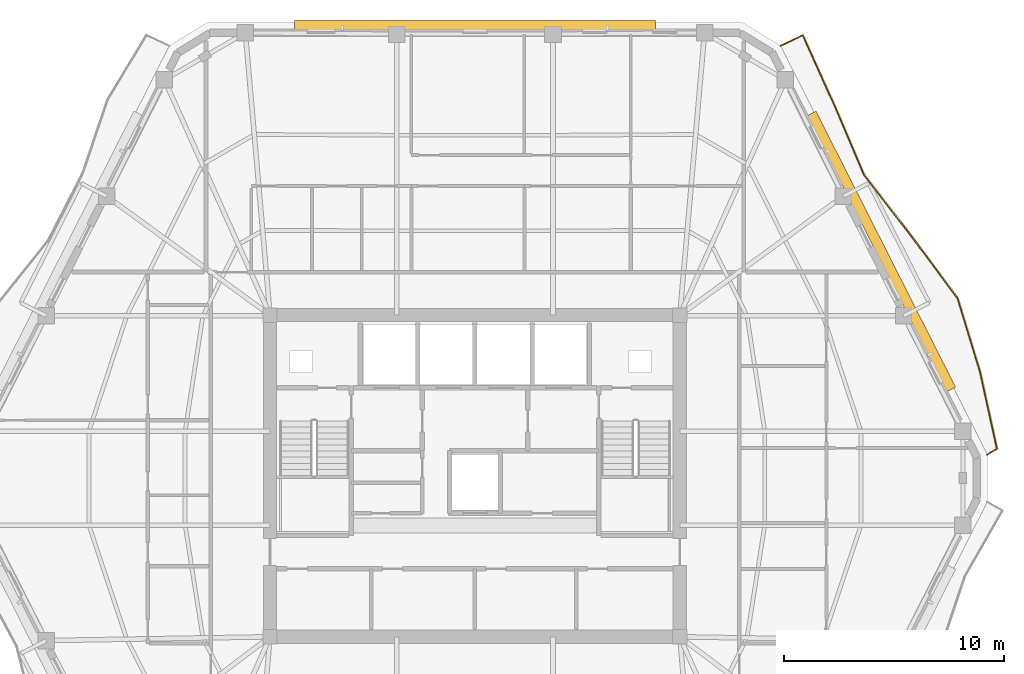
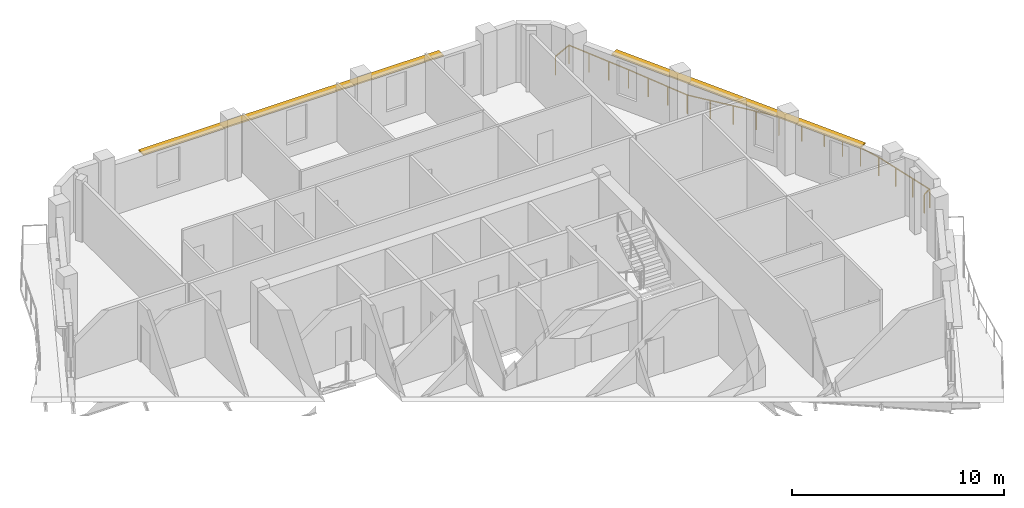
# One storey, part 12 of 12: 2 shading devices, 1 railing.
"""IFC4 building model written with IfcOpenShell, lengths in metres."""

import ifcopenshell
import ifcopenshell.guid

model = None  # the IFC model being written
_history = None  # IfcOwnerHistory: only IFC2X3 demands one
_inside = {}  # id of a spatial element -> (the spatial element, [elements in it])
_under = {}  # id of a project, library or spatial element -> (it, [spatial elements below it])
_declared = {}  # id of a project -> (the project, [libraries it declares])
_typed = {}  # id of a type object -> (the type object, [elements of that type])
_made_of = {}  # id of a material, layer set ... -> (it, [elements and type objects made of it])


def new_model(schema):
    """Start an empty IFC model of exactly this schema.

    Asked for "IFC4X3", IfcOpenShell would pick the latest addendum, in which some entities
    have other attributes; the version numbers below select the first issue.
    IFC2X3 requires an IfcOwnerHistory on every rooted entity: one is made here for all.
    """
    global model, _history
    if schema == "IFC4X3":
        model = ifcopenshell.file(schema_version=(4, 3, 0, 0))
    else:
        model = ifcopenshell.file(schema=schema)
    _inside.clear()
    _under.clear()
    _declared.clear()
    _typed.clear()
    _made_of.clear()
    _history = None
    if model.schema == "IFC2X3":
        org = make("IfcOrganization", Name="unknown")
        user = make(
            "IfcPersonAndOrganization",
            ThePerson=make("IfcPerson", FamilyName="unknown"),
            TheOrganization=org,
        )
        app = make(
            "IfcApplication",
            ApplicationDeveloper=org,
            Version="unknown",
            ApplicationFullName="unknown",
            ApplicationIdentifier="unknown",
        )
        _history = make(
            "IfcOwnerHistory",
            OwningUser=user,
            OwningApplication=app,
            ChangeAction="ADDED",
            CreationDate=0,
        )
    return model


def make(cls, **values):
    """One entity of the class cls with the attributes given. An attribute that is None is left unset."""
    return model.create_entity(
        cls, **{name: value for name, value in values.items() if value is not None}
    )


def rooted(cls, **values):
    """An entity with a GlobalId (a new one), such as an element, a storey or a relation."""
    return make(cls, GlobalId=ifcopenshell.guid.new(), OwnerHistory=_history, **values)


def si_unit(unit_type, name, prefix=None):
    """IfcSIUnit, for example si_unit("LENGTHUNIT", "METRE", prefix="MILLI")."""
    return make("IfcSIUnit", UnitType=unit_type, Prefix=prefix, Name=name)


def assignment(units):
    """IfcUnitAssignment: the units of a project."""
    return None if units is None else make("IfcUnitAssignment", Units=units)


def point(xyz):
    """IfcCartesianPoint."""
    return None if xyz is None else make("IfcCartesianPoint", Coordinates=xyz)


def direction(xyz):
    """IfcDirection."""
    return None if xyz is None else make("IfcDirection", DirectionRatios=xyz)


def frame(location, z_axis=None, x_axis=None):
    """IfcAxis2Placement3D, a coordinate frame: its origin and axes. An axis left out is left unset."""
    return make(
        "IfcAxis2Placement3D",
        Location=point(location),
        Axis=direction(z_axis),
        RefDirection=direction(x_axis),
    )


def frame_2d(location, x_axis=None):
    """IfcAxis2Placement2D, a coordinate frame in the plane: its origin and x axis."""
    return make(
        "IfcAxis2Placement2D", Location=point(location), RefDirection=direction(x_axis)
    )


def origin():
    """The frame at (0, 0, 0) with its axes left unset."""
    return frame((0.0, 0.0, 0.0))


def origin_2d():
    """The frame at (0, 0) in the plane with its x axis left unset."""
    return frame_2d((0.0, 0.0))


def place(relative_to, where):
    """IfcLocalPlacement: puts the frame where relative to a parent placement (None: the world)."""
    return make(
        "IfcLocalPlacement", PlacementRelTo=relative_to, RelativePlacement=where
    )


def context(
    kind, dimensions, precision=None, world=None, true_north=None, identifier=None
):
    """IfcGeometricRepresentationContext, for example the 3D "Model" context."""
    return make(
        "IfcGeometricRepresentationContext",
        ContextIdentifier=identifier,
        ContextType=kind,
        CoordinateSpaceDimension=dimensions,
        Precision=precision,
        WorldCoordinateSystem=world,
        TrueNorth=true_north,
    )


def subcontext(parent, identifier, kind, view, scale=None):
    """IfcGeometricRepresentationSubContext, for example "Body" below "Model"."""
    return make(
        "IfcGeometricRepresentationSubContext",
        ContextIdentifier=identifier,
        ContextType=kind,
        ParentContext=parent,
        TargetScale=scale,
        TargetView=view,
    )


def project(units=None, contexts=None):
    """IfcProject with its units and contexts."""
    return rooted(
        "IfcProject",
        Name="project",
        RepresentationContexts=contexts,
        UnitsInContext=assignment(units),
    )


def spatial(cls, under=None, at=None, **own):
    """A site, building, storey or space (cls), placed at a placement, below another one or the project."""
    s = rooted(cls, ObjectPlacement=at, **own)
    if under is not None:
        _under.setdefault(under.id(), (under, []))[1].append(s)
    return s


def profile(cls, at=None, kind="AREA", **sizes):
    """A parametric profile (cls). Its sizes go by their IFC names, for example OverallWidth=200.0."""
    return make(cls, ProfileType=kind, Position=at, **sizes)


def rectangle(**sizes):
    """IfcRectangleProfileDef."""
    return profile("IfcRectangleProfileDef", **sizes)


def extrude(swept, where, along, depth):
    """IfcExtrudedAreaSolid: the profile swept, set in the frame where, extruded along a direction by depth."""
    return make(
        "IfcExtrudedAreaSolid",
        SweptArea=swept,
        Position=where,
        ExtrudedDirection=direction(along),
        Depth=depth,
    )


def shape(context_of_items, identifier, shape_type, items):
    """IfcShapeRepresentation: the items that make up one representation, for example the "Body"."""
    return make(
        "IfcShapeRepresentation",
        ContextOfItems=context_of_items,
        RepresentationIdentifier=identifier,
        RepresentationType=shape_type,
        Items=items,
    )


def material(Name=None, Category=None):
    """IfcMaterial."""
    return make("IfcMaterial", Name=Name, Category=Category)


def layer(
    of_material, thickness, ventilated=None, Name=None, Category=None, Priority=None
):
    """IfcMaterialLayer: one layer of a wall or slab, of a material (None: an air gap)."""
    return make(
        "IfcMaterialLayer",
        Material=of_material,
        LayerThickness=thickness,
        IsVentilated=ventilated,
        Name=Name,
        Category=Category,
        Priority=Priority,
    )


def layer_set(layers, Name=None):
    """IfcMaterialLayerSet."""
    return make("IfcMaterialLayerSet", MaterialLayers=layers, LayerSetName=Name)


def made_of(thing, what):
    """Note that an element or type object is made of a material, layer set ...; save() writes the relation."""
    if what is not None:
        _made_of.setdefault(what.id(), (what, []))[1].append(thing)
    return thing


def type_object(cls, material=None, **own):
    """A type object (cls), such as IfcWallType, which elements share."""
    return made_of(rooted(cls, **own), material)


def element(
    cls,
    number,
    at=None,
    inside=None,
    cuts=None,
    type_object=None,
    material=None,
    context=None,
    identifier="Body",
    shape_type=None,
    held_by="IfcProductDefinitionShape",
    body=None,
    shapes=None,
    **own,
):
    """One element of the class cls, such as IfcWall. Its Tag is "e" and its number.

    at: its placement. inside: the storey or other place that contains it. cuts: it is an
    opening in that element (IfcRelVoidsElement). A single representation is given by context,
    identifier, shape_type and body (its items); several are given by shapes. held_by: the class
    of the entity that holds the representations. save() writes the other relations.
    """
    e = rooted(cls, Tag="e%d" % number, ObjectPlacement=at, **own)
    if body is not None:
        shapes = [shape(context, identifier, shape_type, body)]
    if shapes is not None:
        e.Representation = make(held_by, Representations=shapes)
    if inside is not None:
        _inside.setdefault(inside.id(), (inside, []))[1].append(e)
    if cuts is not None:
        rooted(
            "IfcRelVoidsElement", RelatingBuildingElement=cuts, RelatedOpeningElement=e
        )
    if type_object is not None:
        _typed.setdefault(type_object.id(), (type_object, []))[1].append(e)
    return made_of(e, material)


def aggregate(whole, parts):
    """IfcRelAggregates: a whole, such as a stair, and the parts it consists of."""
    return rooted("IfcRelAggregates", RelatingObject=whole, RelatedObjects=parts)


def save(model, path):
    """Write the relations noted so far, then the file.

    IfcRelAggregates (storeys below a building ...), IfcRelContainedInSpatialStructure (elements
    in a storey), IfcRelDefinesByType, IfcRelAssociatesMaterial and IfcRelDeclares: one each for
    every whole, place, type object, material and project.
    """
    for whole, parts in _under.values():
        aggregate(whole, parts)
    for where, things in _inside.values():
        rooted(
            "IfcRelContainedInSpatialStructure",
            RelatedElements=things,
            RelatingStructure=where,
        )
    for kind, things in _typed.values():
        rooted("IfcRelDefinesByType", RelatedObjects=things, RelatingType=kind)
    for what, things in _made_of.values():
        rooted("IfcRelAssociatesMaterial", RelatedObjects=things, RelatingMaterial=what)
    for by, libraries in _declared.values():
        rooted("IfcRelDeclares", RelatingContext=by, RelatedDefinitions=libraries)
    model.write(path)


model = new_model("IFC4")

# Units and contexts
model_context = context("Model", 3, precision=1e-05, world=origin(), true_north=direction((0.0, 1.0)))
body_context = subcontext(model_context, "Body", "Model", "MODEL_VIEW")
ifc_project = project(units=[si_unit("LENGTHUNIT", "METRE"), si_unit("AREAUNIT", "SQUARE_METRE"), si_unit("VOLUMEUNIT", "CUBIC_METRE"), si_unit("PLANEANGLEUNIT", "RADIAN"), si_unit("MASSUNIT", "GRAM", prefix="KILO")], contexts=[model_context])

# Site, building, storey
site_placement = place(None, origin())
site = spatial("IfcSite", under=ifc_project, at=site_placement, CompositionType="ELEMENT")
building_placement = place(site_placement, origin())
building = spatial("IfcBuilding", under=site, at=building_placement, Name="Cinnabar Lancet Tower", CompositionType="ELEMENT")
storey_placement = place(building_placement, frame((0.0, 0.0, 210.949951171875)))
storey = spatial("IfcBuildingStorey", under=building, at=storey_placement, Name="L56", CompositionType="ELEMENT", Elevation=210.949951171875)

# Railing
ifc_material_1 = material(Name="Laminated safety glass and bronze stainless steel balustrade", Category="steel")
railing_type = type_object("IfcRailingType", Name="ENV-RLG-BAL-1100", PredefinedType="BALUSTRADE", material=ifc_material_1)
railing_placement = place(storey_placement, frame((55.657958984375, 26.87109375, 0.0)))
element("IfcRailing", 1, at=railing_placement, inside=storey, type_object=railing_type, Name="L56 Face 3 Wave Balcony Balustrade", PredefinedType="BALUSTRADE", context=body_context, shape_type="SweptSolid", body=[
    extrude(rectangle(XDim=0.048095703125, YDim=0.048095703125, at=origin_2d()), frame((0.0, 0.0, 1.076171875), z_axis=(0.865715051361, 0.500537161304, 0.0), x_axis=(-0.500537161304, 0.865715051361, 0.0)), (0.0, 0.0, 1.0), 0.50146484375),
    extrude(rectangle(XDim=0.048095703125, YDim=0.048095703125, at=origin_2d()), frame((0.43408203125, 0.2509765625, 1.076171875), z_axis=(-0.214337273126, 0.976759711162, 0.0), x_axis=(-0.976759711162, -0.214337273126, 0.0)), (0.0, 0.0, 1.0), 3.56982421875),
    extrude(rectangle(XDim=0.048095703125, YDim=0.048095703125, at=origin_2d()), frame((-0.3310546875, 3.73779296875, 1.076171875), z_axis=(-0.292138975054, 0.9563758776, 0.0), x_axis=(-0.9563758776, -0.292138975054, 0.0)), (0.0, 0.0, 1.0), 3.50830078125),
    extrude(rectangle(XDim=0.048095703125, YDim=0.048095703125, at=origin_2d()), frame((-1.35595703125, 7.093017578125, 1.076171875), z_axis=(-0.596271423848, 0.802782902846, 0.0), x_axis=(-0.802782902846, -0.596271423848, 0.0)), (0.0, 0.0, 1.0), 3.50537109375),
    extrude(rectangle(XDim=0.048095703125, YDim=0.048095703125, at=origin_2d()), frame((-3.446044921875, 9.906982421875, 1.076171875), z_axis=(-0.611560054895, 0.7911980152, 0.0), x_axis=(-0.7911980152, -0.611560054895, 0.0)), (0.0, 0.0, 1.0), 3.5185546875),
    extrude(rectangle(XDim=0.048095703125, YDim=0.048095703125, at=origin_2d()), frame((-5.597900390625, 12.69091796875, 1.076171875), z_axis=(-0.391937160515, 0.919991990295, 0.0), x_axis=(-0.919991990295, -0.391937160515, 0.0)), (0.0, 0.0, 1.0), 3.46533203125),
    extrude(rectangle(XDim=0.048095703125, YDim=0.048095703125, at=origin_2d()), frame((-6.9560546875, 15.87890625, 1.076171875), z_axis=(-0.412080021279, 0.91114765876, 0.0), x_axis=(-0.91114765876, -0.412080021279, 0.0)), (0.0, 0.0, 1.0), 3.46044921875),
    extrude(rectangle(XDim=0.048095703125, YDim=0.048095703125, at=origin_2d()), frame((-8.382080078125, 19.031982421875, 1.076171875), z_axis=(-0.9045498365, -0.42636790837, 0.0), x_axis=(0.42636790837, -0.9045498365, 0.0)), (0.0, 0.0, 1.0), 1.112060546875),
    extrude(rectangle(XDim=0.0419921875, YDim=0.0419921875, at=origin_2d()), origin(), (0.0, 0.0, 1.0), 1.052001953125),
    extrude(rectangle(XDim=0.0419921875, YDim=0.0419921875, at=origin_2d()), frame((0.43408203125, 0.2509765625, 0.0)), (0.0, 0.0, 1.0), 1.052001953125),
    extrude(rectangle(XDim=0.0419921875, YDim=0.0419921875, at=origin_2d()), frame((0.178955078125, 1.413330078125, 0.0)), (0.0, 0.0, 1.0), 1.052001953125),
    extrude(rectangle(XDim=0.0419921875, YDim=0.0419921875, at=origin_2d()), frame((-0.075927734375, 2.575439453125, 0.0)), (0.0, 0.0, 1.0), 1.052001953125),
    extrude(rectangle(XDim=0.0419921875, YDim=0.0419921875, at=origin_2d()), frame((-0.3310546875, 3.73779296875, 0.0)), (0.0, 0.0, 1.0), 1.052001953125),
    extrude(rectangle(XDim=0.0419921875, YDim=0.0419921875, at=origin_2d()), frame((-0.672607421875, 4.856201171875, 0.0)), (0.0, 0.0, 1.0), 1.052001953125),
    extrude(rectangle(XDim=0.0419921875, YDim=0.0419921875, at=origin_2d()), frame((-1.014404296875, 5.974609375, 0.0)), (0.0, 0.0, 1.0), 1.052001953125),
    extrude(rectangle(XDim=0.0419921875, YDim=0.0419921875, at=origin_2d()), frame((-1.35595703125, 7.093017578125, 0.0)), (0.0, 0.0, 1.0), 1.052001953125),
    extrude(rectangle(XDim=0.0419921875, YDim=0.0419921875, at=origin_2d()), frame((-2.052734375, 8.031005859375, 0.0)), (0.0, 0.0, 1.0), 1.052001953125),
    extrude(rectangle(XDim=0.0419921875, YDim=0.0419921875, at=origin_2d()), frame((-2.749267578125, 8.968994140625, 0.0)), (0.0, 0.0, 1.0), 1.052001953125),
    extrude(rectangle(XDim=0.0419921875, YDim=0.0419921875, at=origin_2d()), frame((-3.446044921875, 9.906982421875, 0.0)), (0.0, 0.0, 1.0), 1.052001953125),
    extrude(rectangle(XDim=0.0419921875, YDim=0.0419921875, at=origin_2d()), frame((-4.163330078125, 10.8349609375, 0.0)), (0.0, 0.0, 1.0), 1.052001953125),
    extrude(rectangle(XDim=0.0419921875, YDim=0.0419921875, at=origin_2d()), frame((-4.880615234375, 11.762939453125, 0.0)), (0.0, 0.0, 1.0), 1.052001953125),
    extrude(rectangle(XDim=0.0419921875, YDim=0.0419921875, at=origin_2d()), frame((-5.597900390625, 12.69091796875, 0.0)), (0.0, 0.0, 1.0), 1.052001953125),
    extrude(rectangle(XDim=0.0419921875, YDim=0.0419921875, at=origin_2d()), frame((-6.050537109375, 13.753662109375, 0.0)), (0.0, 0.0, 1.0), 1.052001953125),
    extrude(rectangle(XDim=0.0419921875, YDim=0.0419921875, at=origin_2d()), frame((-6.50341796875, 14.816162109375, 0.0)), (0.0, 0.0, 1.0), 1.052001953125),
    extrude(rectangle(XDim=0.0419921875, YDim=0.0419921875, at=origin_2d()), frame((-6.9560546875, 15.87890625, 0.0)), (0.0, 0.0, 1.0), 1.052001953125),
    extrude(rectangle(XDim=0.0419921875, YDim=0.0419921875, at=origin_2d()), frame((-7.431396484375, 16.929931640625, 0.0)), (0.0, 0.0, 1.0), 1.052001953125),
    extrude(rectangle(XDim=0.0419921875, YDim=0.0419921875, at=origin_2d()), frame((-7.90673828125, 17.98095703125, 0.0)), (0.0, 0.0, 1.0), 1.052001953125),
    extrude(rectangle(XDim=0.0419921875, YDim=0.0419921875, at=origin_2d()), frame((-8.382080078125, 19.031982421875, 0.0)), (0.0, 0.0, 1.0), 1.052001953125),
    extrude(rectangle(XDim=0.0419921875, YDim=0.0419921875, at=origin_2d()), frame((-9.387939453125, 18.557861328125, 0.0)), (0.0, 0.0, 1.0), 1.052001953125),
])

# Shading devices
ifc_material_2 = material(Name="Pale limestone architectural aluminium sunshade", Category="masonry")
ifc_layer = layer(ifc_material_2, 0.080078125)
ifc_layer_set = layer_set([ifc_layer], Name="Pale limestone architectural aluminium sunshade")
shading_device_type = type_object("IfcShadingDeviceType", Name="ENV-SHD-LVR-450", PredefinedType="JALOUSIE", material=ifc_layer_set)
shading_device_1_placement = place(storey_placement, frame((50.845947265625, 36.093994140625, 2.639892578125), z_axis=(0.0, 0.0, 1.0), x_axis=(-0.45140713236, 0.892318105193, 0.0)))
element("IfcShadingDevice", 2, at=shading_device_1_placement, inside=storey, type_object=shading_device_type, Name="L56 Face 3 Horizontal Sunshade Canopy", PredefinedType="JALOUSIE", context=body_context, shape_type="SweptSolid", body=[
    extrude(rectangle(XDim=14.034912109375, YDim=0.449951171875, at=origin_2d()), origin(), (0.0, 0.0, 1.0), 0.080078125),
])
shading_device_2_placement = place(storey_placement, frame((32.39990234375, 46.3701171875, 2.639892578125), z_axis=(0.0, 0.0, 1.0), x_axis=(-1.0, 0.0, 0.0)))
element("IfcShadingDevice", 3, at=shading_device_2_placement, inside=storey, type_object=shading_device_type, Name="L56 Face 4 Horizontal Sunshade Canopy", PredefinedType="JALOUSIE", context=body_context, shape_type="SweptSolid", body=[
    extrude(rectangle(XDim=16.3720703125, YDim=0.449951171875, at=origin_2d()), origin(), (0.0, 0.0, 1.0), 0.080078125),
])

save(model, "model.ifc")
